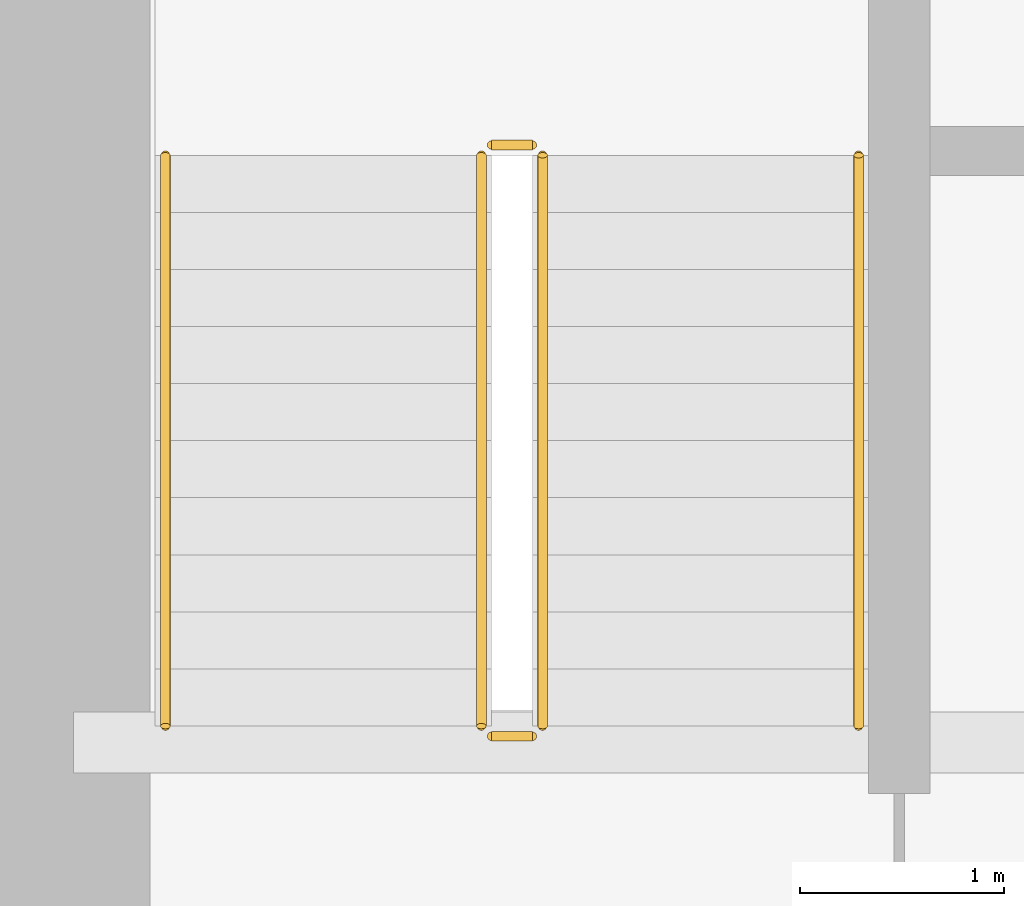
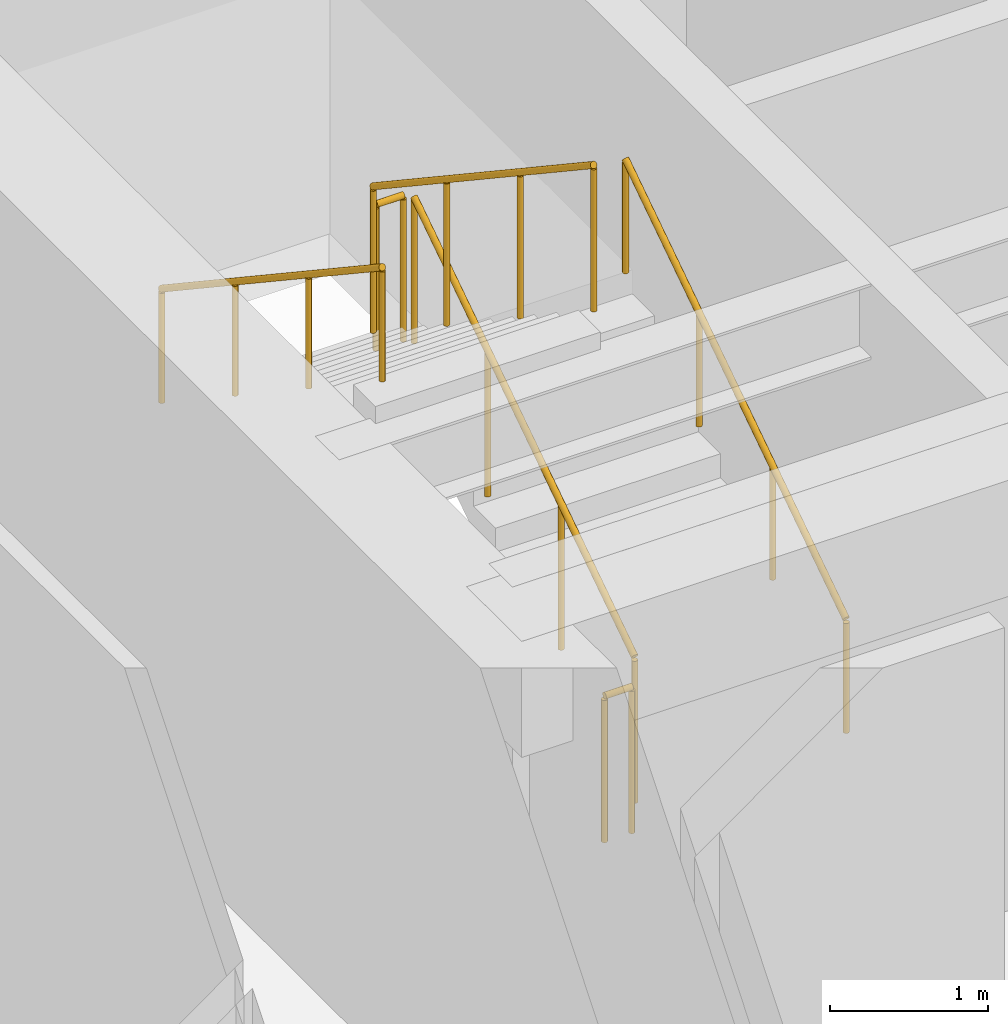
# One storey, part 34 of 35: 6 railings.
"""IFC4 building model written with IfcOpenShell, lengths in metres."""

from ifc_helpers import new_model, si_unit, direction, frame, origin, origin_2d, place, context, subcontext, project, spatial, circle, extrude, source, transform, mapped, material, type_object, type_shapes, element, save


model = new_model("IFC4")

# Units and contexts
model_context = context("Model", 3, precision=1e-05, world=origin(), true_north=direction((0.0, 1.0)))
body_context = subcontext(model_context, "Body", "Model", "MODEL_VIEW")
ifc_project = project(units=[si_unit("LENGTHUNIT", "METRE"), si_unit("AREAUNIT", "SQUARE_METRE"), si_unit("VOLUMEUNIT", "CUBIC_METRE"), si_unit("PLANEANGLEUNIT", "RADIAN"), si_unit("MASSUNIT", "GRAM", prefix="KILO")], contexts=[model_context])

# Site, building, storey
site_placement = place(None, origin())
site = spatial("IfcSite", under=ifc_project, at=site_placement, CompositionType="ELEMENT")
building_placement = place(site_placement, origin())
building = spatial("IfcBuilding", under=site, at=building_placement, Name="Haelvirn Gate Laboratories", CompositionType="ELEMENT")
storey_placement = place(building_placement, frame((0.0, 0.0, 82.60009765625)))
storey = spatial("IfcBuildingStorey", under=building, at=storey_placement, Name="L20", CompositionType="ELEMENT", Elevation=82.60009765625)

# Railings
ifc_material_1 = material(Name="Galvanised steel SM355 & stainless top rail", Category="steel")
railing_type_1 = type_object("IfcRailingType", Name="RL-GUARD-1150", PredefinedType="GUARDRAIL", material=ifc_material_1)
shared_shape_1 = source(origin(), body_context, "Body", "SweptSolid", [
    extrude(circle(Radius=0.02392578125, at=origin_2d()), frame((0.0, 0.0, 1.1259765625), z_axis=(-1.0, 0.0, 0.0), x_axis=(0.0, -1.0, 0.0)), (0.0, 0.0, 1.0), 0.199951171875),
    extrude(circle(Radius=0.02099609375, at=origin_2d()), origin(), (0.0, 0.0, 1.0), 1.101806640625),
    extrude(circle(Radius=0.02099609375, at=origin_2d()), frame((-0.199951171875, 0.0, 0.0)), (0.0, 0.0, 1.0), 1.101806640625),
])
for number, where, name in (
    (1, (9.64990234375, 29.550048828125, 2.0498046875), "L20 ST1 stair guard 2"),
    (2, (9.64990234375, 26.64990234375, 0.0), "L20 ST1 stair guard 4"),
):
    element("IfcRailing", number, at=place(storey_placement, frame(where)), inside=storey, type_object=railing_type_1, Name=name, PredefinedType="GUARDRAIL", context=body_context, shape_type="MappedRepresentation", body=[
        mapped(shared_shape_1, transform((0.0, 0.0, 0.0), scale=1.0)),
    ])
shared_shape_2 = source(origin(), body_context, "Body", "SweptSolid", [
    extrude(circle(Radius=0.02392578125, at=origin_2d()), frame((0.0, 0.0, 1.1259765625), z_axis=(0.0, 0.832485552168, 0.554046753832), x_axis=(-1.0, 0.0, 0.0)), (0.0, 0.0, 1.0), 3.363525390625),
    extrude(circle(Radius=0.02099609375, at=origin_2d()), origin(), (0.0, 0.0, 1.0), 1.101806640625),
    extrude(circle(Radius=0.02099609375, at=origin_2d()), frame((0.0, 0.933349609375, 0.62109375)), (0.0, 0.0, 1.0), 1.101806640625),
    extrude(circle(Radius=0.02099609375, at=origin_2d()), frame((0.0, 1.86669921875, 1.242431640625)), (0.0, 0.0, 1.0), 1.101806640625),
    extrude(circle(Radius=0.02099609375, at=origin_2d()), frame((0.0, 2.800048828125, 1.863525390625)), (0.0, 0.0, 1.0), 1.101806640625),
])
railing_1_placement = place(storey_placement, frame((9.699951171875, 26.699951171875, 0.186279296875)))
element("IfcRailing", 3, at=railing_1_placement, inside=storey, type_object=railing_type_1, Name="L20 ST1 stair guard 1", PredefinedType="GUARDRAIL", context=body_context, shape_type="MappedRepresentation", body=[
    mapped(shared_shape_2, transform((0.0, 0.0, 0.0), scale=1.0)),
])
ifc_material_2 = material(Name="Brushed stainless steel 316L", Category="steel")
railing_type_2 = type_object("IfcRailingType", Name="RL-HAND-920", PredefinedType="HANDRAIL", material=ifc_material_2)
shared_shape_3 = source(origin(), body_context, "Body", "SweptSolid", [
    extrude(circle(Radius=0.02392578125, at=origin_2d()), frame((0.0, 0.0, 0.8759765625), z_axis=(0.0, 0.832485552168, 0.554046753832), x_axis=(-1.0, 0.0, 0.0)), (0.0, 0.0, 1.0), 3.363525390625),
    extrude(circle(Radius=0.02099609375, at=origin_2d()), origin(), (0.0, 0.0, 1.0), 0.851806640625),
    extrude(circle(Radius=0.02099609375, at=origin_2d()), frame((0.0, 0.933349609375, 0.62109375)), (0.0, 0.0, 1.0), 0.851806640625),
    extrude(circle(Radius=0.02099609375, at=origin_2d()), frame((0.0, 1.86669921875, 1.242431640625)), (0.0, 0.0, 1.0), 0.851806640625),
    extrude(circle(Radius=0.02099609375, at=origin_2d()), frame((0.0, 2.800048828125, 1.863525390625)), (0.0, 0.0, 1.0), 0.851806640625),
])
railing_2_placement = place(storey_placement, frame((11.25, 26.699951171875, 0.186279296875)))
element("IfcRailing", 4, at=railing_2_placement, inside=storey, type_object=railing_type_2, Name="L20 ST1 stair handrail 1", PredefinedType="HANDRAIL", context=body_context, shape_type="MappedRepresentation", body=[
    mapped(shared_shape_3, transform((0.0, 0.0, 0.0), scale=1.0)),
])
shared_shape_4 = source(origin(), body_context, "Body", "SweptSolid", [
    extrude(circle(Radius=0.02392578125, at=origin_2d()), frame((0.0, 0.0, 1.1259765625), z_axis=(0.0, -0.832485552168, 0.554046753832), x_axis=(1.0, 0.0, 0.0)), (0.0, 0.0, 1.0), 3.363525390625),
    extrude(circle(Radius=0.02099609375, at=origin_2d()), origin(), (0.0, 0.0, 1.0), 1.101806640625),
    extrude(circle(Radius=0.02099609375, at=origin_2d()), frame((0.0, -0.933349609375, 0.62109375)), (0.0, 0.0, 1.0), 1.101806640625),
    extrude(circle(Radius=0.02099609375, at=origin_2d()), frame((0.0, -1.86669921875, 1.242431640625)), (0.0, 0.0, 1.0), 1.101806640625),
    extrude(circle(Radius=0.02099609375, at=origin_2d()), frame((0.0, -2.800048828125, 1.863525390625)), (0.0, 0.0, 1.0), 1.101806640625),
])
type_shapes(railing_type_1, [shared_shape_1, shared_shape_2, shared_shape_4])
railing_3_placement = place(storey_placement, frame((9.39990234375, 29.5, 2.236328125)))
element("IfcRailing", 5, at=railing_3_placement, inside=storey, type_object=railing_type_1, Name="L20 ST1 stair guard 3", PredefinedType="GUARDRAIL", context=body_context, shape_type="MappedRepresentation", body=[
    mapped(shared_shape_4, transform((0.0, 0.0, 0.0), scale=1.0)),
])
shared_shape_5 = source(origin(), body_context, "Body", "SweptSolid", [
    extrude(circle(Radius=0.02392578125, at=origin_2d()), frame((0.0, 0.0, 0.8759765625), z_axis=(0.0, -0.832485552168, 0.554046753832), x_axis=(1.0, 0.0, 0.0)), (0.0, 0.0, 1.0), 3.363525390625),
    extrude(circle(Radius=0.02099609375, at=origin_2d()), origin(), (0.0, 0.0, 1.0), 0.851806640625),
    extrude(circle(Radius=0.02099609375, at=origin_2d()), frame((0.0, -0.933349609375, 0.62109375)), (0.0, 0.0, 1.0), 0.851806640625),
    extrude(circle(Radius=0.02099609375, at=origin_2d()), frame((0.0, -1.86669921875, 1.242431640625)), (0.0, 0.0, 1.0), 0.851806640625),
    extrude(circle(Radius=0.02099609375, at=origin_2d()), frame((0.0, -2.800048828125, 1.863525390625)), (0.0, 0.0, 1.0), 0.851806640625),
])
type_shapes(railing_type_2, [shared_shape_3, shared_shape_5])
railing_4_placement = place(storey_placement, frame((7.85009765625, 29.5, 2.236328125)))
element("IfcRailing", 6, at=railing_4_placement, inside=storey, type_object=railing_type_2, Name="L20 ST1 stair handrail 2", PredefinedType="HANDRAIL", context=body_context, shape_type="MappedRepresentation", body=[
    mapped(shared_shape_5, transform((0.0, 0.0, 0.0), scale=1.0)),
])

save(model, "model.ifc")
